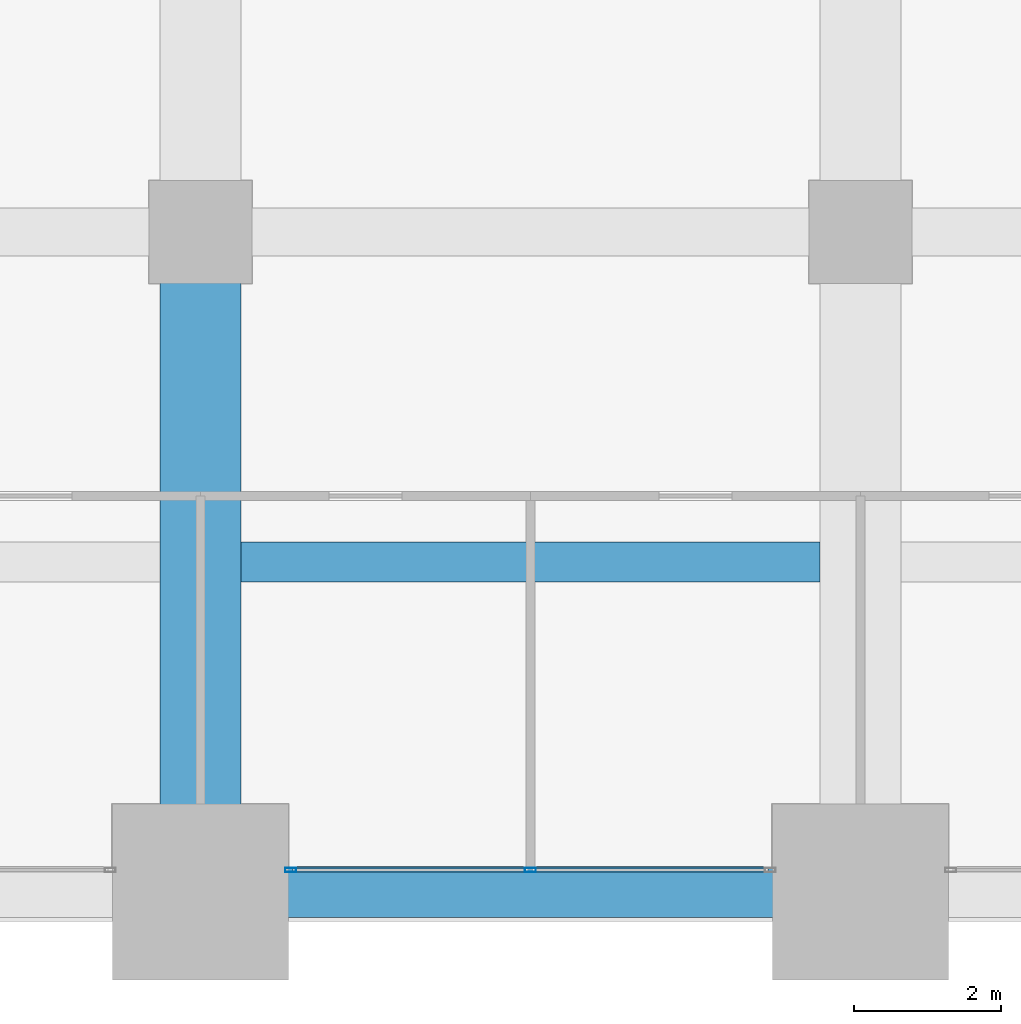
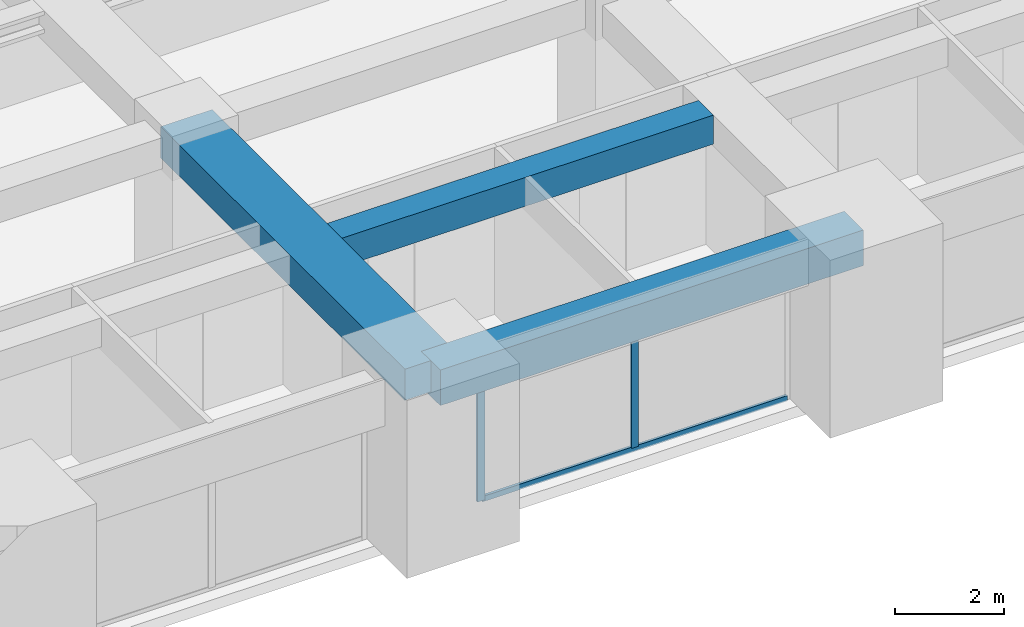
# One storey, part 7 of 33: 3 beams, 3 members, 1 element without a shape of its own.
"""IFC4 building model written with IfcOpenShell, lengths in metres."""

from ifc_helpers import new_model, si_unit, direction, frame, origin, origin_2d, place, context, subcontext, project, spatial, rectangle, hollow_rectangle, extrude, material, material_profile, profile_set, type_object, element, aggregate, save


model = new_model("IFC4")

# Units and contexts
model_context = context("Model", 3, precision=1e-05, world=origin(), true_north=direction((0.0, 1.0)))
body_context = subcontext(model_context, "Body", "Model", "MODEL_VIEW")
ifc_project = project(units=[si_unit("LENGTHUNIT", "METRE"), si_unit("AREAUNIT", "SQUARE_METRE"), si_unit("VOLUMEUNIT", "CUBIC_METRE"), si_unit("PLANEANGLEUNIT", "RADIAN"), si_unit("MASSUNIT", "GRAM", prefix="KILO")], contexts=[model_context])

# Site, building, storey
site_placement = place(None, origin())
site = spatial("IfcSite", under=ifc_project, at=site_placement, CompositionType="ELEMENT")
building_placement = place(site_placement, origin())
building = spatial("IfcBuilding", under=site, at=building_placement, Name="Zorevar Civic Tower", CompositionType="ELEMENT")
storey_placement = place(building_placement, frame((0.0, 0.0, 210.199951171875)))
storey = spatial("IfcBuildingStorey", under=building, at=storey_placement, Name="L51", CompositionType="ELEMENT", Elevation=210.199951171875)

# Beams
ifc_material_1 = material(Name="Concrete C50/60", Category="concrete")
ifc_material_profile_1 = material_profile(ifc_material_1, rectangle(XDim=1.10009765625, YDim=0.699951171875, at=origin_2d()), Name="RC 1100x700")
ifc_profile_set_1 = profile_set([ifc_material_profile_1], Name="Concrete C50/60")
beam_type_1 = type_object("IfcBeamType", Name="Beam RC 1100x700", PredefinedType="BEAM", material=ifc_profile_set_1)
beam_1_placement = place(storey_placement, frame((27.0, 0.0, 3.400146484375), z_axis=(0.0, 1.0, 0.0), x_axis=(-1.0, 0.0, 0.0)))
element("IfcBeam", 1, at=beam_1_placement, inside=storey, type_object=beam_type_1, Name="Girder L52", PredefinedType="BEAM", context=body_context, shape_type="SweptSolid", body=[
    extrude(rectangle(XDim=1.10009765625, YDim=0.699951171875, at=origin_2d()), origin(), (0.0, 0.0, 1.0), 9.0),
])
ifc_material_2 = material(Name="Concrete C50/60", Category="concrete")
ifc_material_profile_2 = material_profile(ifc_material_2, rectangle(XDim=0.550048828125, YDim=0.64990234375, at=origin_2d()), Name="RC 550x650")
ifc_profile_set_2 = profile_set([ifc_material_profile_2], Name="Concrete C50/60")
beam_type_2 = type_object("IfcBeamType", Name="Beam RC 550x650", PredefinedType="BEAM", material=ifc_profile_set_2)
beam_2_placement = place(storey_placement, frame((27.550048828125, 4.5, 3.425048828125), z_axis=(1.0, 0.0, 0.0), x_axis=(0.0, 1.0, 0.0)))
element("IfcBeam", 2, at=beam_2_placement, inside=storey, type_object=beam_type_2, Name="Secondary beam L52", PredefinedType="BEAM", context=body_context, shape_type="SweptSolid", body=[
    extrude(rectangle(XDim=0.550048828125, YDim=0.64990234375, at=origin_2d()), origin(), (0.0, 0.0, 1.0), 7.89990234375),
])

# Curtain wall, members
ifc_material_3 = material(Name="Dark grey solar-control glass in black aluminium frame", Category="aluminium")
curtain_wall_type = type_object("IfcCurtainWallType", Name="Curtain wall CW4 high zone", PredefinedType="NOTDEFINED", material=ifc_material_3)
curtain_wall_placement = place(storey_placement, origin())
curtain_wall = element("IfcCurtainWall", 3, at=curtain_wall_placement, inside=storey, type_object=curtain_wall_type, Name="CW4 L51", PredefinedType="NOTDEFINED")
ifc_material_4 = material(Name="Aluminium, black anodised", Category="aluminium")
ifc_material_profile_3 = material_profile(ifc_material_4, hollow_rectangle(XDim=0.06005859375, YDim=0.14990234375, WallThickness=0.00390625, at=origin_2d()), Name="AL 150x60x4")
ifc_profile_set_3 = profile_set([ifc_material_profile_3], Name="Aluminium, black anodised")
member_type_1 = type_object("IfcMemberType", Name="CW4 mullion AL 150x60x4", PredefinedType="MULLION", material=ifc_profile_set_3)
member_1_placement = place(storey_placement, frame((28.22998046875, 0.300048828125, 0.0), z_axis=(0.0, 0.0, 1.0), x_axis=(0.0, 1.0, 0.0)))
member_1 = element("IfcMember", 4, at=member_1_placement, type_object=member_type_1, Name="CW4 mullion 1", PredefinedType="MULLION", context=body_context, shape_type="SweptSolid", body=[
    extrude(hollow_rectangle(XDim=0.06005859375, YDim=0.14990234375, WallThickness=0.00390625, at=origin_2d()), origin(), (0.0, 0.0, 1.0), 2.949951171875),
])
member_2_placement = place(storey_placement, frame((31.5, 0.300048828125, 0.06005859375), z_axis=(0.0, 0.0, 1.0), x_axis=(0.0, 1.0, 0.0)))
member_2 = element("IfcMember", 5, at=member_2_placement, type_object=member_type_1, Name="CW4 mullion 2", PredefinedType="MULLION", context=body_context, shape_type="SweptSolid", body=[
    extrude(hollow_rectangle(XDim=0.06005859375, YDim=0.14990234375, WallThickness=0.00390625, at=origin_2d()), origin(), (0.0, 0.0, 1.0), 2.889892578125),
])
ifc_material_5 = material(Name="Aluminium, black anodised", Category="aluminium")
ifc_material_profile_4 = material_profile(ifc_material_5, hollow_rectangle(XDim=0.06005859375, YDim=0.1201171875, WallThickness=0.0029296875, at=origin_2d()), Name="AL 120x60x3")
ifc_profile_set_4 = profile_set([ifc_material_profile_4], Name="Aluminium, black anodised")
member_type_2 = type_object("IfcMemberType", Name="CW4 transom AL 120x60x3", PredefinedType="USERDEFINED", material=ifc_profile_set_4)
member_3_placement = place(storey_placement, frame((28.260009765625, 0.300048828125, 0.030029296875), z_axis=(1.0, 0.0, 0.0), x_axis=(0.0, 1.0, 0.0)))
member_3 = element("IfcMember", 6, at=member_3_placement, type_object=member_type_2, Name="CW4 sill transom", ObjectType="TRANSOM", PredefinedType="USERDEFINED", context=body_context, shape_type="SweptSolid", body=[
    extrude(hollow_rectangle(XDim=0.06005859375, YDim=0.1201171875, WallThickness=0.0029296875, at=origin_2d()), origin(), (0.0, 0.0, 1.0), 6.47998046875),
])
aggregate(curtain_wall, [member_1, member_2, member_3])

# Beam
ifc_material_6 = material(Name="Concrete C50/60", Category="concrete")
ifc_material_profile_5 = material_profile(ifc_material_6, rectangle(XDim=0.699951171875, YDim=0.800048828125, at=origin_2d()), Name="RC 700x800")
ifc_profile_set_5 = profile_set([ifc_material_profile_5], Name="Concrete C50/60")
beam_type_3 = type_object("IfcBeamType", Name="Edge beam RC 700x800", PredefinedType="SPANDREL", material=ifc_profile_set_5)
beam_3_placement = place(storey_placement, frame((27.0, 0.0, 3.35009765625), z_axis=(1.0, 0.0, 0.0), x_axis=(0.0, 1.0, 0.0)))
element("IfcBeam", 7, at=beam_3_placement, inside=storey, type_object=beam_type_3, Name="Edge beam L52", PredefinedType="SPANDREL", context=body_context, shape_type="SweptSolid", body=[
    extrude(rectangle(XDim=0.699951171875, YDim=0.800048828125, at=origin_2d()), origin(), (0.0, 0.0, 1.0), 9.0),
])

save(model, "model.ifc")
